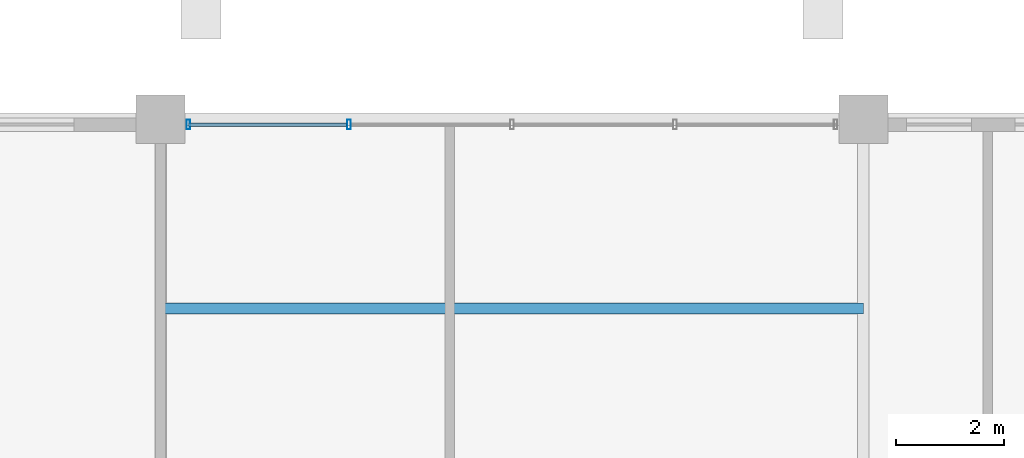
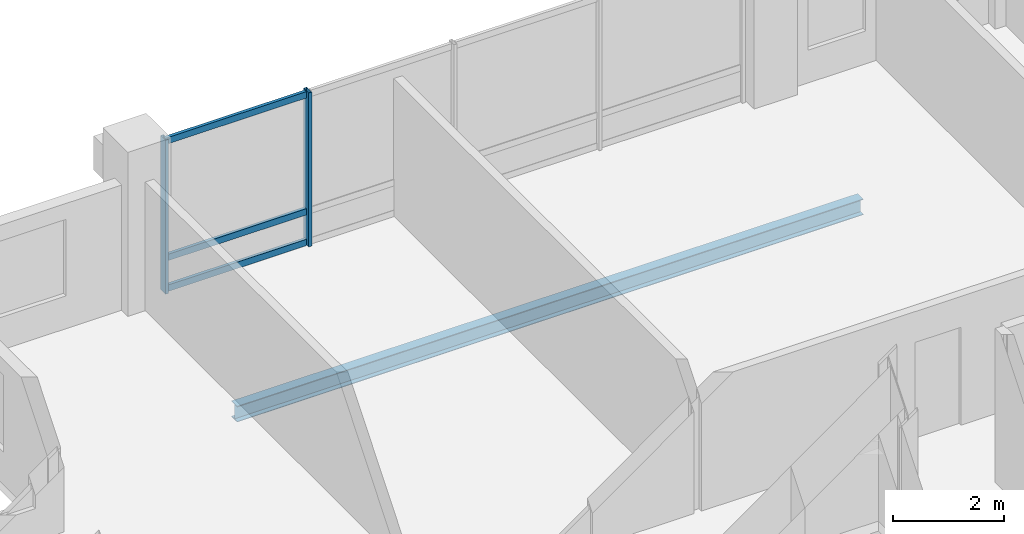
# One storey, part 12 of 21: 5 members, 1 beam, 1 element without a shape of its own.
"""IFC4 building model written with IfcOpenShell, lengths in metres."""

from ifc_helpers import new_model, si_unit, direction, frame, origin, origin_2d, place, context, subcontext, project, spatial, hollow_rectangle, i_section, extrude, material, layer, layer_set, material_profile, profile_set, type_object, element, aggregate, save


model = new_model("IFC4")

# Units and contexts
model_context = context("Model", 3, precision=1e-05, world=origin(), true_north=direction((0.0, 1.0)))
body_context = subcontext(model_context, "Body", "Model", "MODEL_VIEW")
ifc_project = project(units=[si_unit("LENGTHUNIT", "METRE"), si_unit("AREAUNIT", "SQUARE_METRE"), si_unit("VOLUMEUNIT", "CUBIC_METRE"), si_unit("PLANEANGLEUNIT", "RADIAN"), si_unit("MASSUNIT", "GRAM", prefix="KILO")], contexts=[model_context])

# Site, building, storey
site_placement = place(None, origin())
site = spatial("IfcSite", under=ifc_project, at=site_placement, CompositionType="ELEMENT")
building_placement = place(site_placement, origin())
building = spatial("IfcBuilding", under=site, at=building_placement, Name="Barlavira Tower and Art Museum", CompositionType="ELEMENT")
storey_placement = place(building_placement, frame((0.0, 0.0, 287.10009765625)))
storey = spatial("IfcBuildingStorey", under=building, at=storey_placement, Name="L75", CompositionType="ELEMENT", Elevation=287.10009765625)

# Curtain wall, members
ifc_material_1 = material(Name="Low-iron coastal laminated glass", Category="glass")
ifc_layer = layer(ifc_material_1, 0.2099609375, Name="Low-iron coastal laminated glass")
ifc_layer_set = layer_set([ifc_layer], Name="Low-iron coastal laminated glass")
curtain_wall_type = type_object("IfcCurtainWallType", Name="Pale-Metal Unitised Curtain Wall Zone 4", PredefinedType="NOTDEFINED", material=ifc_layer_set)
curtain_wall_placement = place(storey_placement, origin())
curtain_wall = element("IfcCurtainWall", 1, at=curtain_wall_placement, inside=storey, type_object=curtain_wall_type, Name="L75 Curtain Wall CW4-L75-N-B2", PredefinedType="NOTDEFINED")
ifc_material_2 = material(Name="Pale anodised aluminium", Category="aluminium")
ifc_material_profile_1 = material_profile(ifc_material_2, hollow_rectangle(XDim=0.06494140625, YDim=0.179931640625, WallThickness=0.00390625, at=origin_2d()), Name="ALU-MULL 65x180x4")
ifc_profile_set_1 = profile_set([ifc_material_profile_1], Name="Pale anodised aluminium")
member_type_1 = type_object("IfcMemberType", Name="Curtain Wall Pale-Metal Mullion 65x180", PredefinedType="MULLION", material=ifc_profile_set_1)
member_1_placement = place(storey_placement, frame((-3.014892578125, 19.89990234375, 0.0), z_axis=(0.0, 0.0, 1.0), x_axis=(-1.0, 0.0, 0.0)))
member_1 = element("IfcMember", 2, at=member_1_placement, type_object=member_type_1, Name="CW4-L75-N-B2 Mullion 3", PredefinedType="MULLION", context=body_context, shape_type="SweptSolid", body=[
    extrude(hollow_rectangle(XDim=0.06494140625, YDim=0.179931640625, WallThickness=0.00390625, at=origin_2d()), origin(), (0.0, 0.0, 1.0), 3.3798828125),
])
member_2_placement = place(storey_placement, frame((-5.985107421875, 19.89990234375, 0.0), z_axis=(0.0, 0.0, 1.0), x_axis=(-1.0, 0.0, 0.0)))
member_2 = element("IfcMember", 3, at=member_2_placement, type_object=member_type_1, Name="CW4-L75-N-B2 Mullion 4", PredefinedType="MULLION", context=body_context, shape_type="SweptSolid", body=[
    extrude(hollow_rectangle(XDim=0.06494140625, YDim=0.179931640625, WallThickness=0.00390625, at=origin_2d()), origin(), (0.0, 0.0, 1.0), 3.3798828125),
])
ifc_material_profile_2 = material_profile(ifc_material_2, hollow_rectangle(XDim=0.06494140625, YDim=0.139892578125, WallThickness=0.00390625, at=origin_2d()), Name="ALU-TRAN 65x140x4")
ifc_profile_set_2 = profile_set([ifc_material_profile_2], Name="Pale anodised aluminium")
member_type_2 = type_object("IfcMemberType", Name="Curtain Wall Pale-Metal Transom 65x140", PredefinedType="USERDEFINED", material=ifc_profile_set_2)
member_3_placement = place(storey_placement, frame((-3.06005859375, 19.89990234375, 0.06982421875), z_axis=(-1.0, 0.0, 0.0), x_axis=(0.0, -1.0, 0.0)))
member_3 = element("IfcMember", 4, at=member_3_placement, type_object=member_type_2, Name="CW4-L75-N-B2 Transom 3.1", ObjectType="TRANSOM", PredefinedType="USERDEFINED", context=body_context, shape_type="SweptSolid", body=[
    extrude(hollow_rectangle(XDim=0.06494140625, YDim=0.139892578125, WallThickness=0.00390625, at=origin_2d()), origin(), (0.0, 0.0, 1.0), 2.925048828125),
])
member_4_placement = place(storey_placement, frame((-3.06005859375, 19.89990234375, 0.743896484375), z_axis=(-1.0, 0.0, 0.0), x_axis=(0.0, -1.0, 0.0)))
member_4 = element("IfcMember", 5, at=member_4_placement, type_object=member_type_2, Name="CW4-L75-N-B2 Transom 3.2", ObjectType="TRANSOM", PredefinedType="USERDEFINED", context=body_context, shape_type="SweptSolid", body=[
    extrude(hollow_rectangle(XDim=0.06494140625, YDim=0.139892578125, WallThickness=0.00390625, at=origin_2d()), origin(), (0.0, 0.0, 1.0), 2.925048828125),
])
member_5_placement = place(storey_placement, frame((-3.06005859375, 19.89990234375, 3.309814453125), z_axis=(-1.0, 0.0, 0.0), x_axis=(0.0, -1.0, 0.0)))
member_5 = element("IfcMember", 6, at=member_5_placement, type_object=member_type_2, Name="CW4-L75-N-B2 Transom 3.3", ObjectType="TRANSOM", PredefinedType="USERDEFINED", context=body_context, shape_type="SweptSolid", body=[
    extrude(hollow_rectangle(XDim=0.06494140625, YDim=0.139892578125, WallThickness=0.00390625, at=origin_2d()), origin(), (0.0, 0.0, 1.0), 2.925048828125),
])
aggregate(curtain_wall, [member_1, member_2, member_3, member_4, member_5])

# Beam
ifc_material_3 = material(Name="Steel S355", Category="steel")
ifc_material_profile_3 = material_profile(ifc_material_3, i_section(OverallWidth=0.202880859375, OverallDepth=0.346923828125, WebThickness=0.0078125, FlangeThickness=0.013427734375, at=origin_2d()), Name="W360x64.0")
ifc_profile_set_3 = profile_set([ifc_material_profile_3], Name="Steel S355")
beam_type = type_object("IfcBeamType", Name="Zone 4 Composite Floor Joist W360x64 Steel S355", PredefinedType="JOIST", material=ifc_profile_set_3)
beam_placement = place(storey_placement, frame((-6.5, 16.5, -0.3935546875), z_axis=(1.0, 0.0, 0.0), x_axis=(0.0, 1.0, 0.0)))
element("IfcBeam", 7, at=beam_placement, inside=storey, type_object=beam_type, Name="L75 Joist C2", PredefinedType="JOIST", context=body_context, shape_type="SweptSolid", body=[
    extrude(i_section(OverallWidth=0.202880859375, OverallDepth=0.346923828125, WebThickness=0.0078125, FlangeThickness=0.013427734375, at=origin_2d()), origin(), (0.0, 0.0, 1.0), 13.0),
])

save(model, "model.ifc")
